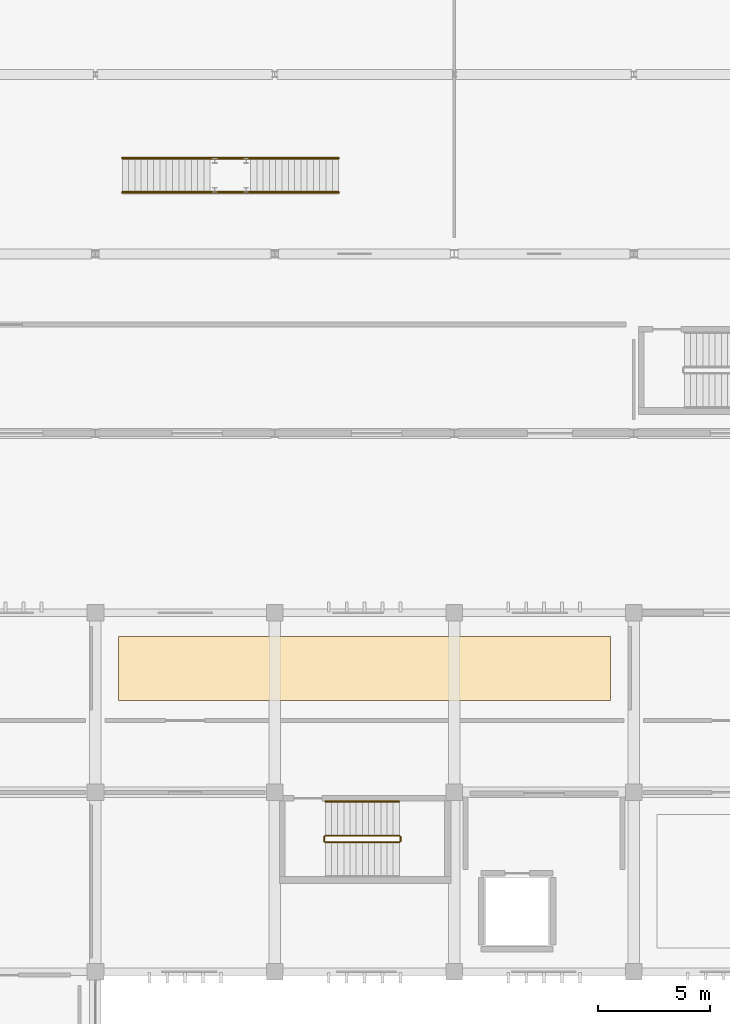
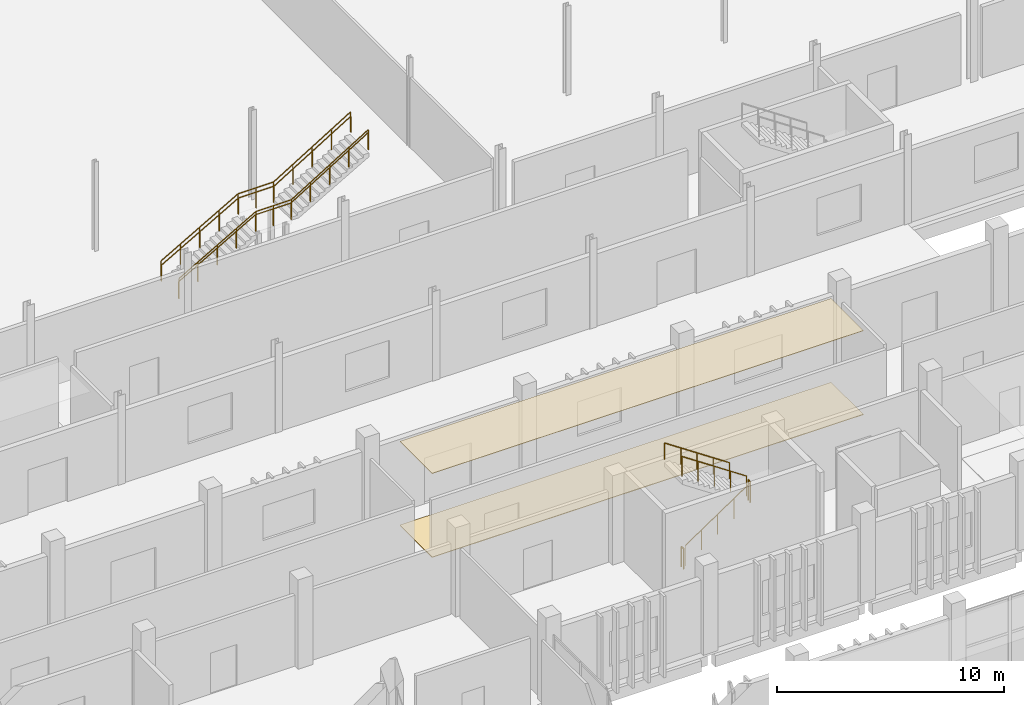
# One storey, part 115 of 117: 9 railings, 2 coverings.
"""IFC4 building model written with IfcOpenShell, lengths in metres."""

from ifc_helpers import new_model, si_unit, direction, frame, origin, origin_2d, place, context, subcontext, project, spatial, polyline, circle, outline, extrude, material, layer, layer_set, type_object, element, save


model = new_model("IFC4")

# Units and contexts
model_context = context("Model", 3, precision=1e-05, world=origin(), true_north=direction((0.0, 1.0)))
body_context = subcontext(model_context, "Body", "Model", "MODEL_VIEW")
ifc_project = project(units=[si_unit("LENGTHUNIT", "METRE"), si_unit("AREAUNIT", "SQUARE_METRE"), si_unit("VOLUMEUNIT", "CUBIC_METRE"), si_unit("PLANEANGLEUNIT", "RADIAN"), si_unit("MASSUNIT", "GRAM", prefix="KILO")], contexts=[model_context])

# Site, building, storey
site_placement = place(None, origin())
site = spatial("IfcSite", under=ifc_project, at=site_placement, CompositionType="ELEMENT")
building_placement = place(site_placement, origin())
building = spatial("IfcBuilding", under=site, at=building_placement, Name="Jelvoka-Kovrelna Polytechnic", CompositionType="ELEMENT")
storey_placement = place(building_placement, origin())
storey = spatial("IfcBuildingStorey", under=building, at=storey_placement, Name="L01", CompositionType="ELEMENT", Elevation=0.0)

# Coverings
ifc_material_1 = material(Name="Mineral fibre acoustic ceiling tile")
ifc_layer_1 = layer(ifc_material_1, 0.02490234375)
ifc_layer_set_1 = layer_set([ifc_layer_1], Name="Mineral fibre acoustic ceiling tile")
covering_type_1 = type_object("IfcCoveringType", Name="Covering_Acoustic_Ceiling_25", PredefinedType="CEILING", material=ifc_layer_set_1)
covering_1_placement = place(storey_placement, frame((0.0, 0.0, 4.510009765625)))
element("IfcCovering", 1, at=covering_1_placement, inside=storey, type_object=covering_type_1, Name="L01 acoustic ceiling 015", PredefinedType="CEILING", context=body_context, shape_type="SweptSolid", body=[
    extrude(outline(polyline([(153.030029296875, 68.10009765625), (174.969970703125, 68.10009765625), (174.969970703125, 70.949951171875), (153.030029296875, 70.949951171875), (153.030029296875, 68.10009765625)])), origin(), (0.0, 0.0, 1.0), 0.02490234375),
])
ifc_material_2 = material(Name="Polished epoxy terrazzo flooring")
ifc_layer_2 = layer(ifc_material_2, 0.030029296875)
ifc_layer_set_2 = layer_set([ifc_layer_2], Name="Polished epoxy terrazzo flooring")
covering_type_2 = type_object("IfcCoveringType", Name="Covering_Terrazzo_Floor_30", PredefinedType="FLOORING", material=ifc_layer_set_2)
covering_2_placement = place(storey_placement, origin())
element("IfcCovering", 2, at=covering_2_placement, inside=storey, type_object=covering_type_2, Name="L01 terrazzo floor finish 015", PredefinedType="FLOORING", context=body_context, shape_type="SweptSolid", body=[
    extrude(outline(polyline([(153.030029296875, 68.10009765625), (174.969970703125, 68.10009765625), (174.969970703125, 70.949951171875), (153.030029296875, 70.949951171875), (153.030029296875, 68.10009765625)])), origin(), (0.0, 0.0, 1.0), 0.030029296875),
])

# Railings
ifc_material_3 = material(Name="Powder-coated steel stair guard", Category="steel")
railing_type_1 = type_object("IfcRailingType", Name="Railing_Stair_Guard_1100", PredefinedType="GUARDRAIL", material=ifc_material_3)
railing_1_placement = place(storey_placement, frame((162.25, 61.77001953125, 0.1845703125)))
element("IfcRailing", 3, at=railing_1_placement, inside=storey, type_object=railing_type_1, Name="L01 ST10 stair guard 1", PredefinedType="GUARDRAIL", context=body_context, shape_type="SweptSolid", body=[
    extrude(circle(Radius=0.02392578125, at=origin_2d()), frame((0.0, 0.0, 1.076171875), z_axis=(0.830269453126, 0.0, 0.557362211857), x_axis=(0.0, 1.0, 0.0)), (0.0, 0.0, 1.0), 3.974609375),
    extrude(circle(Radius=0.02099609375, at=origin_2d()), origin(), (0.0, 0.0, 1.0), 1.052001953125),
    extrude(circle(Radius=0.02099609375, at=origin_2d()), frame((0.824951171875, 0.0, 0.5537109375)), (0.0, 0.0, 1.0), 1.052001953125),
    extrude(circle(Radius=0.02099609375, at=origin_2d()), frame((1.64990234375, 0.0, 1.107666015625)), (0.0, 0.0, 1.0), 1.052001953125),
    extrude(circle(Radius=0.02099609375, at=origin_2d()), frame((2.47509765625, 0.0, 1.66162109375)), (0.0, 0.0, 1.0), 1.052001953125),
    extrude(circle(Radius=0.02099609375, at=origin_2d()), frame((3.300048828125, 0.0, 2.21533203125)), (0.0, 0.0, 1.0), 1.052001953125),
])
railing_2_placement = place(storey_placement, frame((165.60009765625, 61.820068359375, 2.39990234375)))
element("IfcRailing", 4, at=railing_2_placement, inside=storey, type_object=railing_type_1, Name="L01 ST10 stair guard 2", PredefinedType="GUARDRAIL", context=body_context, shape_type="SweptSolid", body=[
    extrude(circle(Radius=0.02392578125, at=origin_2d()), frame((0.0, 0.0, 1.076171875), z_axis=(0.0, 1.0, 0.0), x_axis=(-1.0, 0.0, 0.0)), (0.0, 0.0, 1.0), 0.199951171875),
    extrude(circle(Radius=0.02099609375, at=origin_2d()), origin(), (0.0, 0.0, 1.0), 1.052001953125),
    extrude(circle(Radius=0.02099609375, at=origin_2d()), frame((0.0, 0.199951171875, 0.0)), (0.0, 0.0, 1.0), 1.052001953125),
])
railing_3_placement = place(storey_placement, frame((165.550048828125, 62.070068359375, 2.584716796875)))
element("IfcRailing", 5, at=railing_3_placement, inside=storey, type_object=railing_type_1, Name="L01 ST10 stair guard 3", PredefinedType="GUARDRAIL", context=body_context, shape_type="SweptSolid", body=[
    extrude(circle(Radius=0.02392578125, at=origin_2d()), frame((0.0, 0.0, 1.076171875), z_axis=(-0.830269453126, 0.0, 0.557362211857), x_axis=(0.0, -1.0, 0.0)), (0.0, 0.0, 1.0), 3.974609375),
    extrude(circle(Radius=0.02099609375, at=origin_2d()), origin(), (0.0, 0.0, 1.0), 1.052001953125),
    extrude(circle(Radius=0.02099609375, at=origin_2d()), frame((-0.824951171875, 0.0, 0.5537109375)), (0.0, 0.0, 1.0), 1.052001953125),
    extrude(circle(Radius=0.02099609375, at=origin_2d()), frame((-1.64990234375, 0.0, 1.107666015625)), (0.0, 0.0, 1.0), 1.052001953125),
    extrude(circle(Radius=0.02099609375, at=origin_2d()), frame((-2.47509765625, 0.0, 1.66162109375)), (0.0, 0.0, 1.0), 1.052001953125),
    extrude(circle(Radius=0.02099609375, at=origin_2d()), frame((-3.300048828125, 0.0, 2.21533203125)), (0.0, 0.0, 1.0), 1.052001953125),
])
railing_4_placement = place(storey_placement, frame((162.199951171875, 61.820068359375, 0.0)))
element("IfcRailing", 6, at=railing_4_placement, inside=storey, type_object=railing_type_1, Name="L01 ST10 stair guard 4", PredefinedType="GUARDRAIL", context=body_context, shape_type="SweptSolid", body=[
    extrude(circle(Radius=0.02392578125, at=origin_2d()), frame((0.0, 0.0, 1.076171875), z_axis=(0.0, 1.0, 0.0), x_axis=(-1.0, 0.0, 0.0)), (0.0, 0.0, 1.0), 0.199951171875),
    extrude(circle(Radius=0.02099609375, at=origin_2d()), origin(), (0.0, 0.0, 1.0), 1.052001953125),
    extrude(circle(Radius=0.02099609375, at=origin_2d()), frame((0.0, 0.199951171875, 0.0)), (0.0, 0.0, 1.0), 1.052001953125),
])
railing_5_placement = place(storey_placement, frame((153.199951171875, 90.715087890625, 0.159912109375)))
element("IfcRailing", 7, at=railing_5_placement, inside=storey, type_object=railing_type_1, Name="L01 ST13 flight guard S", PredefinedType="GUARDRAIL", context=body_context, shape_type="SweptSolid", body=[
    extrude(circle(Radius=0.02392578125, at=origin_2d()), frame((0.0, 0.0, 1.076171875), z_axis=(0.86825312469, 0.0, 0.496121468458), x_axis=(0.0, 1.0, 0.0)), (0.0, 0.0, 1.0), 4.514892578125),
    extrude(circle(Radius=0.02392578125, at=origin_2d()), frame((3.920166015625, 0.0, 3.31591796875), z_axis=(1.0, 0.0, 0.0), x_axis=(0.0, 1.0, 0.0)), (0.0, 0.0, 1.0), 1.7998046875),
    extrude(circle(Radius=0.02392578125, at=origin_2d()), frame((5.719970703125, 0.0, 3.31591796875), z_axis=(0.852846959695, 0.0, 0.522160955394), x_axis=(0.0, 1.0, 0.0)), (0.0, 0.0, 1.0), 4.5966796875),
    extrude(circle(Radius=0.02099609375, at=origin_2d()), origin(), (0.0, 0.0, 1.0), 1.052001953125),
    extrude(circle(Radius=0.02099609375, at=origin_2d()), frame((0.97998046875, 0.0, 0.56005859375)), (0.0, 0.0, 1.0), 1.052001953125),
    extrude(circle(Radius=0.02099609375, at=origin_2d()), frame((1.9599609375, 0.0, 1.1201171875)), (0.0, 0.0, 1.0), 1.052001953125),
    extrude(circle(Radius=0.02099609375, at=origin_2d()), frame((2.940185546875, 0.0, 1.679931640625)), (0.0, 0.0, 1.0), 1.052001953125),
    extrude(circle(Radius=0.02099609375, at=origin_2d()), frame((3.920166015625, 0.0, 2.239990234375)), (0.0, 0.0, 1.0), 1.052001953125),
    extrude(circle(Radius=0.02099609375, at=origin_2d()), frame((4.820068359375, 0.0, 2.239990234375)), (0.0, 0.0, 1.0), 1.052001953125),
    extrude(circle(Radius=0.02099609375, at=origin_2d()), frame((5.719970703125, 0.0, 2.239990234375)), (0.0, 0.0, 1.0), 1.052001953125),
    extrude(circle(Radius=0.02099609375, at=origin_2d()), frame((6.699951171875, 0.0, 2.840087890625)), (0.0, 0.0, 1.0), 1.052001953125),
    extrude(circle(Radius=0.02099609375, at=origin_2d()), frame((7.68017578125, 0.0, 3.43994140625)), (0.0, 0.0, 1.0), 1.052001953125),
    extrude(circle(Radius=0.02099609375, at=origin_2d()), frame((8.66015625, 0.0, 4.0400390625)), (0.0, 0.0, 1.0), 1.052001953125),
    extrude(circle(Radius=0.02099609375, at=origin_2d()), frame((9.64013671875, 0.0, 4.64013671875)), (0.0, 0.0, 1.0), 1.052001953125),
])
railing_6_placement = place(storey_placement, frame((153.199951171875, 92.284912109375, 0.159912109375)))
element("IfcRailing", 8, at=railing_6_placement, inside=storey, type_object=railing_type_1, Name="L01 ST13 flight guard N", PredefinedType="GUARDRAIL", context=body_context, shape_type="SweptSolid", body=[
    extrude(circle(Radius=0.02392578125, at=origin_2d()), frame((0.0, 0.0, 1.076171875), z_axis=(0.86825312469, 0.0, 0.496121468458), x_axis=(0.0, 1.0, 0.0)), (0.0, 0.0, 1.0), 4.514892578125),
    extrude(circle(Radius=0.02392578125, at=origin_2d()), frame((3.920166015625, 0.0, 3.31591796875), z_axis=(1.0, 0.0, 0.0), x_axis=(0.0, 1.0, 0.0)), (0.0, 0.0, 1.0), 1.7998046875),
    extrude(circle(Radius=0.02392578125, at=origin_2d()), frame((5.719970703125, 0.0, 3.31591796875), z_axis=(0.852846959695, 0.0, 0.522160955394), x_axis=(0.0, 1.0, 0.0)), (0.0, 0.0, 1.0), 4.5966796875),
    extrude(circle(Radius=0.02099609375, at=origin_2d()), origin(), (0.0, 0.0, 1.0), 1.052001953125),
    extrude(circle(Radius=0.02099609375, at=origin_2d()), frame((0.97998046875, 0.0, 0.56005859375)), (0.0, 0.0, 1.0), 1.052001953125),
    extrude(circle(Radius=0.02099609375, at=origin_2d()), frame((1.9599609375, 0.0, 1.1201171875)), (0.0, 0.0, 1.0), 1.052001953125),
    extrude(circle(Radius=0.02099609375, at=origin_2d()), frame((2.940185546875, 0.0, 1.679931640625)), (0.0, 0.0, 1.0), 1.052001953125),
    extrude(circle(Radius=0.02099609375, at=origin_2d()), frame((3.920166015625, 0.0, 2.239990234375)), (0.0, 0.0, 1.0), 1.052001953125),
    extrude(circle(Radius=0.02099609375, at=origin_2d()), frame((4.820068359375, 0.0, 2.239990234375)), (0.0, 0.0, 1.0), 1.052001953125),
    extrude(circle(Radius=0.02099609375, at=origin_2d()), frame((5.719970703125, 0.0, 2.239990234375)), (0.0, 0.0, 1.0), 1.052001953125),
    extrude(circle(Radius=0.02099609375, at=origin_2d()), frame((6.699951171875, 0.0, 2.840087890625)), (0.0, 0.0, 1.0), 1.052001953125),
    extrude(circle(Radius=0.02099609375, at=origin_2d()), frame((7.68017578125, 0.0, 3.43994140625)), (0.0, 0.0, 1.0), 1.052001953125),
    extrude(circle(Radius=0.02099609375, at=origin_2d()), frame((8.66015625, 0.0, 4.0400390625)), (0.0, 0.0, 1.0), 1.052001953125),
    extrude(circle(Radius=0.02099609375, at=origin_2d()), frame((9.64013671875, 0.0, 4.64013671875)), (0.0, 0.0, 1.0), 1.052001953125),
])
ifc_material_4 = material(Name="Brushed stainless steel handrail", Category="steel")
railing_type_2 = type_object("IfcRailingType", Name="Railing_Stair_Handrail_900", PredefinedType="HANDRAIL", material=ifc_material_4)
railing_7_placement = place(storey_placement, frame((165.550048828125, 63.590087890625, 2.584716796875)))
element("IfcRailing", 9, at=railing_7_placement, inside=storey, type_object=railing_type_2, Name="L01 ST10 stair handrail 2", PredefinedType="HANDRAIL", context=body_context, shape_type="SweptSolid", body=[
    extrude(circle(Radius=0.02392578125, at=origin_2d()), frame((0.0, 0.0, 0.8759765625), z_axis=(-0.830269453126, 0.0, 0.557362211857), x_axis=(0.0, -1.0, 0.0)), (0.0, 0.0, 1.0), 3.974609375),
    extrude(circle(Radius=0.02099609375, at=origin_2d()), origin(), (0.0, 0.0, 1.0), 0.851806640625),
    extrude(circle(Radius=0.02099609375, at=origin_2d()), frame((-0.824951171875, 0.0, 0.5537109375)), (0.0, 0.0, 1.0), 0.851806640625),
    extrude(circle(Radius=0.02099609375, at=origin_2d()), frame((-1.64990234375, 0.0, 1.107666015625)), (0.0, 0.0, 1.0), 0.851806640625),
    extrude(circle(Radius=0.02099609375, at=origin_2d()), frame((-2.47509765625, 0.0, 1.66162109375)), (0.0, 0.0, 1.0), 0.851806640625),
    extrude(circle(Radius=0.02099609375, at=origin_2d()), frame((-3.300048828125, 0.0, 2.21533203125)), (0.0, 0.0, 1.0), 0.851806640625),
])
railing_8_placement = place(storey_placement, frame((153.199951171875, 90.7548828125, 0.159912109375)))
element("IfcRailing", 10, at=railing_8_placement, inside=storey, type_object=railing_type_2, Name="L01 ST13 handrail S", PredefinedType="HANDRAIL", context=body_context, shape_type="SweptSolid", body=[
    extrude(circle(Radius=0.02392578125, at=origin_2d()), frame((0.0, 0.0, 0.8759765625), z_axis=(0.86825312469, 0.0, 0.496121468458), x_axis=(0.0, 1.0, 0.0)), (0.0, 0.0, 1.0), 4.514892578125),
    extrude(circle(Radius=0.02392578125, at=origin_2d()), frame((3.920166015625, 0.0, 3.11572265625), z_axis=(1.0, 0.0, 0.0), x_axis=(0.0, 1.0, 0.0)), (0.0, 0.0, 1.0), 1.7998046875),
    extrude(circle(Radius=0.02392578125, at=origin_2d()), frame((5.719970703125, 0.0, 3.11572265625), z_axis=(0.852846959695, 0.0, 0.522160955394), x_axis=(0.0, 1.0, 0.0)), (0.0, 0.0, 1.0), 4.5966796875),
    extrude(circle(Radius=0.02099609375, at=origin_2d()), origin(), (0.0, 0.0, 1.0), 0.851806640625),
    extrude(circle(Radius=0.02099609375, at=origin_2d()), frame((0.97998046875, 0.0, 0.56005859375)), (0.0, 0.0, 1.0), 0.851806640625),
    extrude(circle(Radius=0.02099609375, at=origin_2d()), frame((1.9599609375, 0.0, 1.1201171875)), (0.0, 0.0, 1.0), 0.851806640625),
    extrude(circle(Radius=0.02099609375, at=origin_2d()), frame((2.940185546875, 0.0, 1.679931640625)), (0.0, 0.0, 1.0), 0.851806640625),
    extrude(circle(Radius=0.02099609375, at=origin_2d()), frame((3.920166015625, 0.0, 2.239990234375)), (0.0, 0.0, 1.0), 0.851806640625),
    extrude(circle(Radius=0.02099609375, at=origin_2d()), frame((4.820068359375, 0.0, 2.239990234375)), (0.0, 0.0, 1.0), 0.851806640625),
    extrude(circle(Radius=0.02099609375, at=origin_2d()), frame((5.719970703125, 0.0, 2.239990234375)), (0.0, 0.0, 1.0), 0.851806640625),
    extrude(circle(Radius=0.02099609375, at=origin_2d()), frame((6.699951171875, 0.0, 2.840087890625)), (0.0, 0.0, 1.0), 0.851806640625),
    extrude(circle(Radius=0.02099609375, at=origin_2d()), frame((7.68017578125, 0.0, 3.43994140625)), (0.0, 0.0, 1.0), 0.851806640625),
    extrude(circle(Radius=0.02099609375, at=origin_2d()), frame((8.66015625, 0.0, 4.0400390625)), (0.0, 0.0, 1.0), 0.851806640625),
    extrude(circle(Radius=0.02099609375, at=origin_2d()), frame((9.64013671875, 0.0, 4.64013671875)), (0.0, 0.0, 1.0), 0.851806640625),
])
railing_9_placement = place(storey_placement, frame((153.199951171875, 92.2451171875, 0.159912109375)))
element("IfcRailing", 11, at=railing_9_placement, inside=storey, type_object=railing_type_2, Name="L01 ST13 handrail N", PredefinedType="HANDRAIL", context=body_context, shape_type="SweptSolid", body=[
    extrude(circle(Radius=0.02392578125, at=origin_2d()), frame((0.0, 0.0, 0.8759765625), z_axis=(0.86825312469, 0.0, 0.496121468458), x_axis=(0.0, 1.0, 0.0)), (0.0, 0.0, 1.0), 4.514892578125),
    extrude(circle(Radius=0.02392578125, at=origin_2d()), frame((3.920166015625, 0.0, 3.11572265625), z_axis=(1.0, 0.0, 0.0), x_axis=(0.0, 1.0, 0.0)), (0.0, 0.0, 1.0), 1.7998046875),
    extrude(circle(Radius=0.02392578125, at=origin_2d()), frame((5.719970703125, 0.0, 3.11572265625), z_axis=(0.852846959695, 0.0, 0.522160955394), x_axis=(0.0, 1.0, 0.0)), (0.0, 0.0, 1.0), 4.5966796875),
    extrude(circle(Radius=0.02099609375, at=origin_2d()), origin(), (0.0, 0.0, 1.0), 0.851806640625),
    extrude(circle(Radius=0.02099609375, at=origin_2d()), frame((0.97998046875, 0.0, 0.56005859375)), (0.0, 0.0, 1.0), 0.851806640625),
    extrude(circle(Radius=0.02099609375, at=origin_2d()), frame((1.9599609375, 0.0, 1.1201171875)), (0.0, 0.0, 1.0), 0.851806640625),
    extrude(circle(Radius=0.02099609375, at=origin_2d()), frame((2.940185546875, 0.0, 1.679931640625)), (0.0, 0.0, 1.0), 0.851806640625),
    extrude(circle(Radius=0.02099609375, at=origin_2d()), frame((3.920166015625, 0.0, 2.239990234375)), (0.0, 0.0, 1.0), 0.851806640625),
    extrude(circle(Radius=0.02099609375, at=origin_2d()), frame((4.820068359375, 0.0, 2.239990234375)), (0.0, 0.0, 1.0), 0.851806640625),
    extrude(circle(Radius=0.02099609375, at=origin_2d()), frame((5.719970703125, 0.0, 2.239990234375)), (0.0, 0.0, 1.0), 0.851806640625),
    extrude(circle(Radius=0.02099609375, at=origin_2d()), frame((6.699951171875, 0.0, 2.840087890625)), (0.0, 0.0, 1.0), 0.851806640625),
    extrude(circle(Radius=0.02099609375, at=origin_2d()), frame((7.68017578125, 0.0, 3.43994140625)), (0.0, 0.0, 1.0), 0.851806640625),
    extrude(circle(Radius=0.02099609375, at=origin_2d()), frame((8.66015625, 0.0, 4.0400390625)), (0.0, 0.0, 1.0), 0.851806640625),
    extrude(circle(Radius=0.02099609375, at=origin_2d()), frame((9.64013671875, 0.0, 4.64013671875)), (0.0, 0.0, 1.0), 0.851806640625),
])

save(model, "model.ifc")
